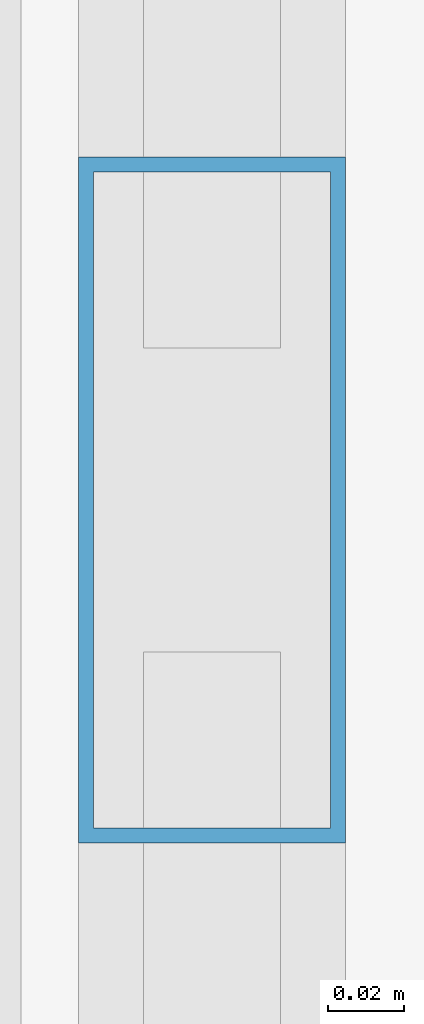
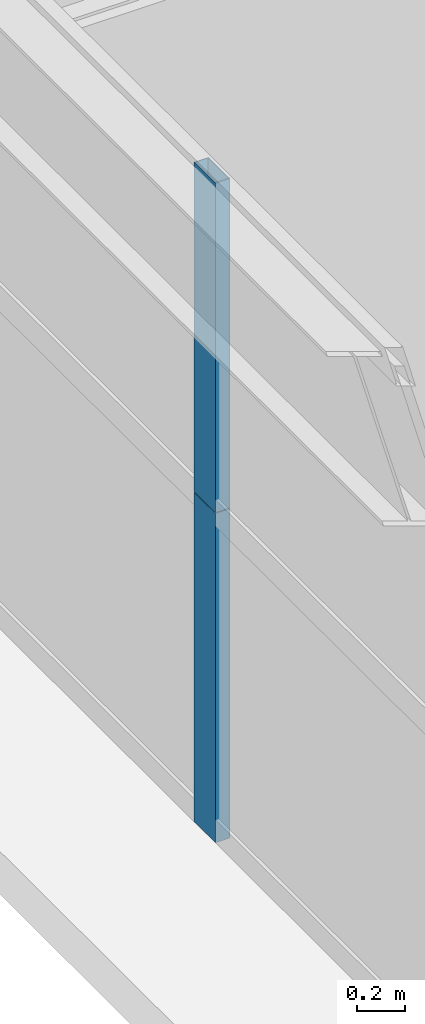
# One storey, part 8 of 39: 2 members, 1 element without a shape of its own.
"""IFC4 building model written with IfcOpenShell, lengths in metres."""

from ifc_helpers import new_model, si_unit, direction, frame, origin, origin_2d, place, context, subcontext, project, spatial, hollow_rectangle, extrude, source, transform, mapped, material, layer, layer_set, material_profile, profile_set, type_object, element, aggregate, save


model = new_model("IFC4")

# Units and contexts
model_context = context("Model", 3, precision=1e-05, world=origin(), true_north=direction((0.0, 1.0)))
body_context = subcontext(model_context, "Body", "Model", "MODEL_VIEW")
ifc_project = project(units=[si_unit("LENGTHUNIT", "METRE"), si_unit("AREAUNIT", "SQUARE_METRE"), si_unit("VOLUMEUNIT", "CUBIC_METRE"), si_unit("PLANEANGLEUNIT", "RADIAN"), si_unit("MASSUNIT", "GRAM", prefix="KILO"), si_unit("THERMODYNAMICTEMPERATUREUNIT", "KELVIN"), si_unit("POWERUNIT", "WATT")], contexts=[model_context])

# Site, building, storey
site_placement = place(None, origin())
site = spatial("IfcSite", under=ifc_project, at=site_placement, CompositionType="ELEMENT")
building_placement = place(site_placement, origin())
building = spatial("IfcBuilding", under=site, at=building_placement, Name="Yuzanri Waterfront Tower", CompositionType="ELEMENT")
storey_placement = place(building_placement, frame((0.0, 0.0, 134.39990234375)))
storey = spatial("IfcBuildingStorey", under=building, at=storey_placement, Name="L35", CompositionType="ELEMENT", Elevation=134.39990234375)

# Curtain wall, members
ifc_material_1 = material(Name="Anodized Architectural Bronze", Category="metal")
ifc_layer = layer(ifc_material_1, 0.159912109375)
ifc_layer_set = layer_set([ifc_layer], Name="Anodized Architectural Bronze")
curtain_wall_type = type_object("IfcCurtainWallType", Name="Anodized Bronze Hotel Upper-Tier Solar-Control Unitized Curtain Wall 7800", PredefinedType="NOTDEFINED", material=ifc_layer_set)
curtain_wall_placement = place(storey_placement, origin())
curtain_wall = element("IfcCurtainWall", 1, at=curtain_wall_placement, inside=storey, type_object=curtain_wall_type, Name="L35 Curtain Wall CW-L35-WL", PredefinedType="NOTDEFINED")
ifc_material_2 = material(Name="Anodized Architectural Bronze", Category="metal")
ifc_material_profile = material_profile(ifc_material_2, hollow_rectangle(XDim=0.070068359375, YDim=0.179931640625, WallThickness=0.00390625, at=origin_2d()), Name="CWM 70x180")
ifc_profile_set = profile_set([ifc_material_profile], Name="Anodized Architectural Bronze")
member_type = type_object("IfcMemberType", Name="Anodized Bronze Standard Curtain-Wall Mullion 70x180", PredefinedType="MULLION", material=ifc_profile_set)
shared_shape = source(origin(), body_context, "Body", "SweptSolid", [
    extrude(hollow_rectangle(XDim=0.070068359375, YDim=0.179931640625, WallThickness=0.00390625, at=origin_2d()), origin(), (0.0, 0.0, 1.0), 1.68798828125),
])
member_1_placement = place(storey_placement, frame((13.550048828125, 17.449951171875, 0.0), z_axis=(0.0, 0.0, 1.0), x_axis=(1.0, 0.0, 0.0)))
member_1 = element("IfcMember", 2, at=member_1_placement, type_object=member_type, Name="CW-L35-WL Lower Mullion 01", PredefinedType="MULLION", context=body_context, shape_type="MappedRepresentation", body=[
    mapped(shared_shape, transform((0.0, 0.0, 0.0), scale=1.0)),
])
member_2_placement = place(storey_placement, frame((13.550048828125, 17.449951171875, 1.692138671875), z_axis=(0.0, 0.0, 1.0), x_axis=(1.0, 0.0, 0.0)))
member_2 = element("IfcMember", 3, at=member_2_placement, type_object=member_type, Name="CW-L35-WL Upper Mullion 01", PredefinedType="MULLION", context=body_context, shape_type="MappedRepresentation", body=[
    mapped(shared_shape, transform((0.0, 0.0, 0.0), scale=1.0)),
])
aggregate(curtain_wall, [member_1, member_2])

save(model, "model.ifc")
